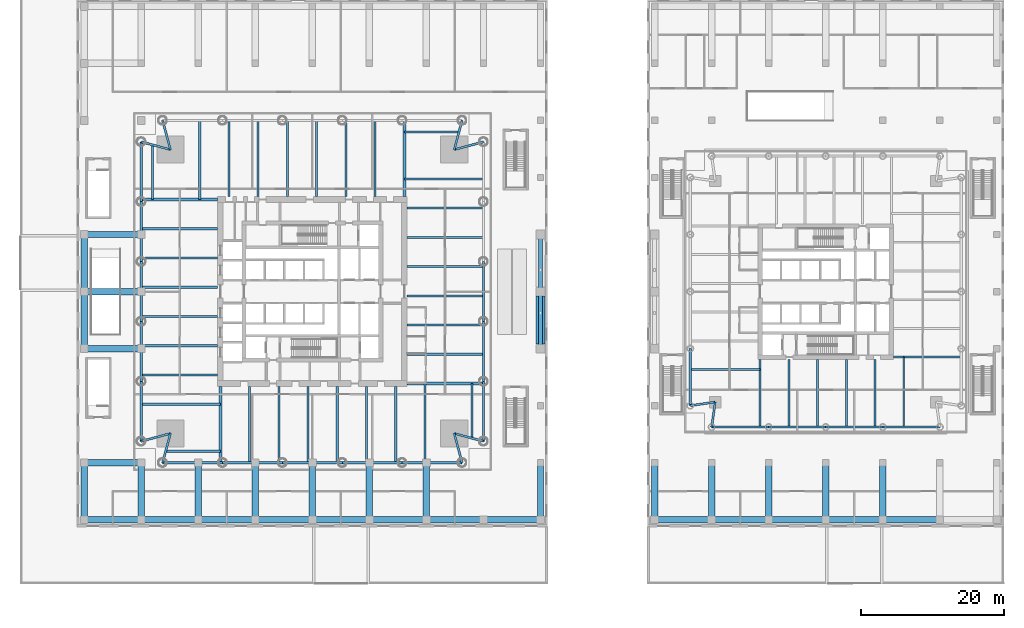
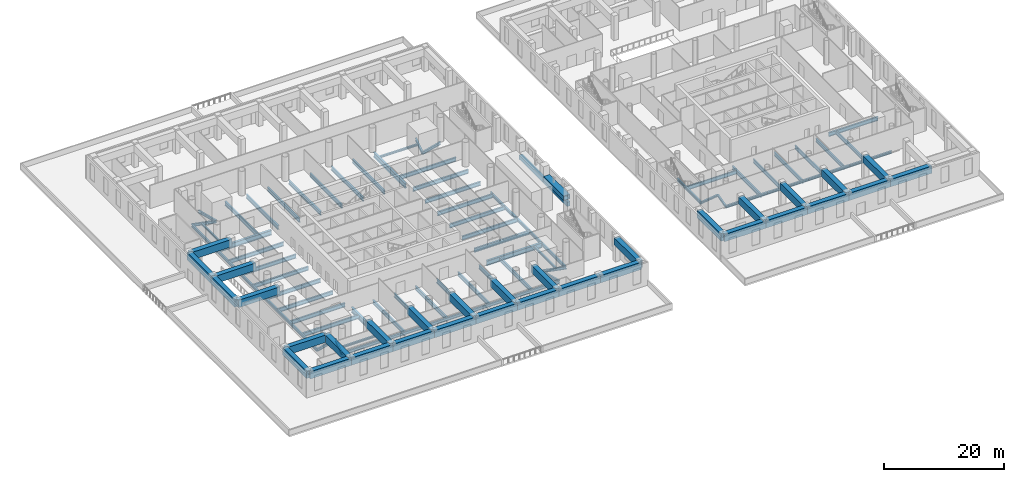
# One storey, part 5 of 26: 107 beams.
"""IFC4 building model written with IfcOpenShell, lengths in metres."""

import ifcopenshell
import ifcopenshell.guid

model = None  # the IFC model being written
_history = None  # IfcOwnerHistory: only IFC2X3 demands one
_inside = {}  # id of a spatial element -> (the spatial element, [elements in it])
_under = {}  # id of a project, library or spatial element -> (it, [spatial elements below it])
_declared = {}  # id of a project -> (the project, [libraries it declares])
_typed = {}  # id of a type object -> (the type object, [elements of that type])
_made_of = {}  # id of a material, layer set ... -> (it, [elements and type objects made of it])


def new_model(schema):
    """Start an empty IFC model of exactly this schema.

    Asked for "IFC4X3", IfcOpenShell would pick the latest addendum, in which some entities
    have other attributes; the version numbers below select the first issue.
    IFC2X3 requires an IfcOwnerHistory on every rooted entity: one is made here for all.
    """
    global model, _history
    if schema == "IFC4X3":
        model = ifcopenshell.file(schema_version=(4, 3, 0, 0))
    else:
        model = ifcopenshell.file(schema=schema)
    _inside.clear()
    _under.clear()
    _declared.clear()
    _typed.clear()
    _made_of.clear()
    _history = None
    if model.schema == "IFC2X3":
        org = make("IfcOrganization", Name="unknown")
        user = make(
            "IfcPersonAndOrganization",
            ThePerson=make("IfcPerson", FamilyName="unknown"),
            TheOrganization=org,
        )
        app = make(
            "IfcApplication",
            ApplicationDeveloper=org,
            Version="unknown",
            ApplicationFullName="unknown",
            ApplicationIdentifier="unknown",
        )
        _history = make(
            "IfcOwnerHistory",
            OwningUser=user,
            OwningApplication=app,
            ChangeAction="ADDED",
            CreationDate=0,
        )
    return model


def make(cls, **values):
    """One entity of the class cls with the attributes given. An attribute that is None is left unset."""
    return model.create_entity(
        cls, **{name: value for name, value in values.items() if value is not None}
    )


def rooted(cls, **values):
    """An entity with a GlobalId (a new one), such as an element, a storey or a relation."""
    return make(cls, GlobalId=ifcopenshell.guid.new(), OwnerHistory=_history, **values)


def si_unit(unit_type, name, prefix=None):
    """IfcSIUnit, for example si_unit("LENGTHUNIT", "METRE", prefix="MILLI")."""
    return make("IfcSIUnit", UnitType=unit_type, Prefix=prefix, Name=name)


def assignment(units):
    """IfcUnitAssignment: the units of a project."""
    return None if units is None else make("IfcUnitAssignment", Units=units)


def point(xyz):
    """IfcCartesianPoint."""
    return None if xyz is None else make("IfcCartesianPoint", Coordinates=xyz)


def direction(xyz):
    """IfcDirection."""
    return None if xyz is None else make("IfcDirection", DirectionRatios=xyz)


def frame(location, z_axis=None, x_axis=None):
    """IfcAxis2Placement3D, a coordinate frame: its origin and axes. An axis left out is left unset."""
    return make(
        "IfcAxis2Placement3D",
        Location=point(location),
        Axis=direction(z_axis),
        RefDirection=direction(x_axis),
    )


def frame_2d(location, x_axis=None):
    """IfcAxis2Placement2D, a coordinate frame in the plane: its origin and x axis."""
    return make(
        "IfcAxis2Placement2D", Location=point(location), RefDirection=direction(x_axis)
    )


def origin():
    """The frame at (0, 0, 0) with its axes left unset."""
    return frame((0.0, 0.0, 0.0))


def origin_2d():
    """The frame at (0, 0) in the plane with its x axis left unset."""
    return frame_2d((0.0, 0.0))


def place(relative_to, where):
    """IfcLocalPlacement: puts the frame where relative to a parent placement (None: the world)."""
    return make(
        "IfcLocalPlacement", PlacementRelTo=relative_to, RelativePlacement=where
    )


def context(
    kind, dimensions, precision=None, world=None, true_north=None, identifier=None
):
    """IfcGeometricRepresentationContext, for example the 3D "Model" context."""
    return make(
        "IfcGeometricRepresentationContext",
        ContextIdentifier=identifier,
        ContextType=kind,
        CoordinateSpaceDimension=dimensions,
        Precision=precision,
        WorldCoordinateSystem=world,
        TrueNorth=true_north,
    )


def subcontext(parent, identifier, kind, view, scale=None):
    """IfcGeometricRepresentationSubContext, for example "Body" below "Model"."""
    return make(
        "IfcGeometricRepresentationSubContext",
        ContextIdentifier=identifier,
        ContextType=kind,
        ParentContext=parent,
        TargetScale=scale,
        TargetView=view,
    )


def project(units=None, contexts=None):
    """IfcProject with its units and contexts."""
    return rooted(
        "IfcProject",
        Name="project",
        RepresentationContexts=contexts,
        UnitsInContext=assignment(units),
    )


def spatial(cls, under=None, at=None, **own):
    """A site, building, storey or space (cls), placed at a placement, below another one or the project."""
    s = rooted(cls, ObjectPlacement=at, **own)
    if under is not None:
        _under.setdefault(under.id(), (under, []))[1].append(s)
    return s


def profile(cls, at=None, kind="AREA", **sizes):
    """A parametric profile (cls). Its sizes go by their IFC names, for example OverallWidth=200.0."""
    return make(cls, ProfileType=kind, Position=at, **sizes)


def rectangle(**sizes):
    """IfcRectangleProfileDef."""
    return profile("IfcRectangleProfileDef", **sizes)


def hollow_rectangle(**sizes):
    """IfcRectangleHollowProfileDef."""
    return profile("IfcRectangleHollowProfileDef", **sizes)


def i_section(**sizes):
    """IfcIShapeProfileDef."""
    return profile("IfcIShapeProfileDef", **sizes)


def extrude(swept, where, along, depth):
    """IfcExtrudedAreaSolid: the profile swept, set in the frame where, extruded along a direction by depth."""
    return make(
        "IfcExtrudedAreaSolid",
        SweptArea=swept,
        Position=where,
        ExtrudedDirection=direction(along),
        Depth=depth,
    )


def shape(context_of_items, identifier, shape_type, items):
    """IfcShapeRepresentation: the items that make up one representation, for example the "Body"."""
    return make(
        "IfcShapeRepresentation",
        ContextOfItems=context_of_items,
        RepresentationIdentifier=identifier,
        RepresentationType=shape_type,
        Items=items,
    )


def material(Name=None, Category=None):
    """IfcMaterial."""
    return make("IfcMaterial", Name=Name, Category=Category)


def material_profile(
    of_material, cross_section, Name=None, Category=None, Priority=None
):
    """IfcMaterialProfile: a cross section and its material."""
    return make(
        "IfcMaterialProfile",
        Name=Name,
        Material=of_material,
        Profile=cross_section,
        Priority=Priority,
        Category=Category,
    )


def profile_set(profiles, Name=None, composite=None):
    """IfcMaterialProfileSet."""
    return make(
        "IfcMaterialProfileSet",
        Name=Name,
        MaterialProfiles=profiles,
        CompositeProfile=composite,
    )


def made_of(thing, what):
    """Note that an element or type object is made of a material, layer set ...; save() writes the relation."""
    if what is not None:
        _made_of.setdefault(what.id(), (what, []))[1].append(thing)
    return thing


def type_object(cls, material=None, **own):
    """A type object (cls), such as IfcWallType, which elements share."""
    return made_of(rooted(cls, **own), material)


def element(
    cls,
    number,
    at=None,
    inside=None,
    cuts=None,
    type_object=None,
    material=None,
    context=None,
    identifier="Body",
    shape_type=None,
    held_by="IfcProductDefinitionShape",
    body=None,
    shapes=None,
    **own,
):
    """One element of the class cls, such as IfcWall. Its Tag is "e" and its number.

    at: its placement. inside: the storey or other place that contains it. cuts: it is an
    opening in that element (IfcRelVoidsElement). A single representation is given by context,
    identifier, shape_type and body (its items); several are given by shapes. held_by: the class
    of the entity that holds the representations. save() writes the other relations.
    """
    e = rooted(cls, Tag="e%d" % number, ObjectPlacement=at, **own)
    if body is not None:
        shapes = [shape(context, identifier, shape_type, body)]
    if shapes is not None:
        e.Representation = make(held_by, Representations=shapes)
    if inside is not None:
        _inside.setdefault(inside.id(), (inside, []))[1].append(e)
    if cuts is not None:
        rooted(
            "IfcRelVoidsElement", RelatingBuildingElement=cuts, RelatedOpeningElement=e
        )
    if type_object is not None:
        _typed.setdefault(type_object.id(), (type_object, []))[1].append(e)
    return made_of(e, material)


def aggregate(whole, parts):
    """IfcRelAggregates: a whole, such as a stair, and the parts it consists of."""
    return rooted("IfcRelAggregates", RelatingObject=whole, RelatedObjects=parts)


def save(model, path):
    """Write the relations noted so far, then the file.

    IfcRelAggregates (storeys below a building ...), IfcRelContainedInSpatialStructure (elements
    in a storey), IfcRelDefinesByType, IfcRelAssociatesMaterial and IfcRelDeclares: one each for
    every whole, place, type object, material and project.
    """
    for whole, parts in _under.values():
        aggregate(whole, parts)
    for where, things in _inside.values():
        rooted(
            "IfcRelContainedInSpatialStructure",
            RelatedElements=things,
            RelatingStructure=where,
        )
    for kind, things in _typed.values():
        rooted("IfcRelDefinesByType", RelatedObjects=things, RelatingType=kind)
    for what, things in _made_of.values():
        rooted("IfcRelAssociatesMaterial", RelatedObjects=things, RelatingMaterial=what)
    for by, libraries in _declared.values():
        rooted("IfcRelDeclares", RelatingContext=by, RelatedDefinitions=libraries)
    model.write(path)


model = new_model("IFC4")

# Units and contexts
model_context = context("Model", 3, precision=1e-05, world=origin(), true_north=direction((0.0, 1.0)))
body_context = subcontext(model_context, "Body", "Model", "MODEL_VIEW")
ifc_project = project(units=[si_unit("LENGTHUNIT", "METRE"), si_unit("AREAUNIT", "SQUARE_METRE"), si_unit("VOLUMEUNIT", "CUBIC_METRE"), si_unit("PLANEANGLEUNIT", "RADIAN"), si_unit("MASSUNIT", "GRAM", prefix="KILO")], contexts=[model_context])

# Site, building, storey
site_placement = place(None, origin())
site = spatial("IfcSite", under=ifc_project, at=site_placement, CompositionType="ELEMENT")
building_placement = place(site_placement, origin())
building = spatial("IfcBuilding", under=site, at=building_placement, Name="Ostroluk Exchange", CompositionType="ELEMENT")
storey_placement = place(building_placement, frame((0.0, 0.0, 6.0)))
storey = spatial("IfcBuildingStorey", under=building, at=storey_placement, Name="L01", CompositionType="ELEMENT", Elevation=6.0)

# Beams
ifc_material_1 = material(Name="Steel S355", Category="steel")
ifc_material_profile_1 = material_profile(ifc_material_1, hollow_rectangle(XDim=1.199951171875, YDim=0.949951171875, WallThickness=0.080078125, at=origin_2d()), Name="BOX 1200x950x80")
ifc_profile_set_1 = profile_set([ifc_material_profile_1], Name="Steel S355")
beam_type_1 = type_object("IfcBeamType", Name="Bearing seat girder BOX 1200x950x80", PredefinedType="BEAM", material=ifc_profile_set_1)
beam_1_placement = place(storey_placement, frame((77.0, 38.64990234375, 2.635009765625), z_axis=(0.0, 1.0, 0.0), x_axis=(-1.0, 0.0, 0.0)))
element("IfcBeam", 1, at=beam_1_placement, inside=storey, type_object=beam_type_1, Name="BR1 bearing seat girder west 1", PredefinedType="BEAM", context=body_context, shape_type="SweptSolid", body=[
    extrude(hollow_rectangle(XDim=1.199951171875, YDim=0.949951171875, WallThickness=0.080078125, at=origin_2d()), origin(), (0.0, 0.0, 1.0), 6.7001953125),
])
ifc_material_2 = material(Name="Steel S355", Category="steel")
ifc_material_profile_2 = material_profile(ifc_material_2, i_section(OverallWidth=0.300048828125, OverallDepth=0.39990234375, WebThickness=0.013427734375, FlangeThickness=0.02392578125, FilletRadius=0.027099609375, at=origin_2d()), Name="HEB 400")
ifc_profile_set_2 = profile_set([ifc_material_profile_2], Name="Steel S355")
beam_type_2 = type_object("IfcBeamType", Name="Corner edge beam HEB 400", PredefinedType="SPANDREL", material=ifc_profile_set_2)
for number, where, z_axis, x_axis, name in (
    (2, (101.5, 30.5, -0.5), (-0.989949493661, -0.141421356237, 0.0), (0.141421356237, -0.989949493661, 0.0), "T2 west corner edge beam a"),
    (3, (101.5, 30.5, -0.5), (-0.141421356237, -0.989949493661, 0.0), (0.989949493661, -0.141421356237, 0.0), "T2 west corner edge beam b"),
):
    element("IfcBeam", number, at=place(storey_placement, frame(where, z_axis=z_axis, x_axis=x_axis)), inside=storey, type_object=beam_type_2, Name=name, PredefinedType="SPANDREL", context=body_context, shape_type="SweptSolid", body=[
        extrude(i_section(OverallWidth=0.300048828125, OverallDepth=0.39990234375, WebThickness=0.013427734375, FlangeThickness=0.02392578125, FilletRadius=0.027099609375, at=origin_2d()), origin(), (0.0, 0.0, 1.0), 3.53564453125),
    ])
ifc_material_3 = material(Name="Steel S355", Category="steel")
ifc_material_profile_3 = material_profile(ifc_material_3, i_section(OverallWidth=0.300048828125, OverallDepth=0.550048828125, WebThickness=0.014892578125, FlangeThickness=0.029052734375, FilletRadius=0.027099609375, at=origin_2d()), Name="HEB 550")
ifc_profile_set_3 = profile_set([ifc_material_profile_3], Name="Steel S355")
beam_type_3 = type_object("IfcBeamType", Name="Corner edge beam HEB 550", PredefinedType="SPANDREL", material=ifc_profile_set_3)
for number, where, z_axis, x_axis, name in (
    (4, (64.89990234375, 65.89990234375, -0.574951171875), (0.965838624319, 0.259144268261, 0.0), (-0.259144268261, 0.965838624319, 0.0), "T1 east corner edge beam a"),
    (5, (64.89990234375, 65.89990234375, -0.574951171875), (0.259144268261, 0.965838624319, 0.0), (-0.965838624319, 0.259144268261, 0.0), "T1 east corner edge beam b"),
    (6, (25.10009765625, 65.89990234375, -0.574951171875), (-0.259144268261, 0.965838624319, 0.0), (-0.965838624319, -0.259144268261, 0.0), "T1 north corner edge beam a"),
    (7, (25.10009765625, 65.89990234375, -0.574951171875), (-0.965838624319, 0.259144268261, 0.0), (-0.259144268261, -0.965838624319, 0.0), "T1 north corner edge beam b"),
    (8, (25.10009765625, 26.10009765625, -0.574951171875), (-0.965838624319, -0.259144268261, 0.0), (0.259144268261, -0.965838624319, 0.0), "T1 west corner edge beam a"),
    (9, (25.10009765625, 26.10009765625, -0.574951171875), (-0.259144268261, -0.965838624319, 0.0), (0.965838624319, -0.259144268261, 0.0), "T1 west corner edge beam b"),
    (10, (64.89990234375, 26.10009765625, -0.574951171875), (0.259144268261, -0.965838624319, 0.0), (0.965838624319, 0.259144268261, 0.0), "T1 south corner edge beam a"),
    (11, (64.89990234375, 26.10009765625, -0.574951171875), (0.965838624319, -0.259144268261, 0.0), (0.259144268261, 0.965838624319, 0.0), "T1 south corner edge beam b"),
):
    element("IfcBeam", number, at=place(storey_placement, frame(where, z_axis=z_axis, x_axis=x_axis)), inside=storey, type_object=beam_type_3, Name=name, PredefinedType="SPANDREL", context=body_context, shape_type="SweptSolid", body=[
        extrude(i_section(OverallWidth=0.300048828125, OverallDepth=0.550048828125, WebThickness=0.014892578125, FlangeThickness=0.029052734375, FilletRadius=0.027099609375, at=origin_2d()), origin(), (0.0, 0.0, 1.0), 4.2451171875),
    ])
ifc_material_4 = material(Name="Steel S355", Category="steel")
ifc_material_profile_4 = material_profile(ifc_material_4, i_section(OverallWidth=0.300048828125, OverallDepth=0.39990234375, WebThickness=0.013427734375, FlangeThickness=0.02392578125, FilletRadius=0.027099609375, at=origin_2d()), Name="HEB 400")
ifc_profile_set_4 = profile_set([ifc_material_profile_4], Name="Steel S355")
beam_type_4 = type_object("IfcBeamType", Name="Floor beam HEB 400", PredefinedType="BEAM", material=ifc_profile_set_4)
for number, where, z_axis, x_axis, name in (
    (12, (57.89990234375, 68.39990234375, -0.5), (1.0, 0.0, 0.0), (0.0, 1.0, 0.0), "T1 east floor beam 8"),
    (13, (22.60009765625, 58.89990234375, -0.5), (0.0, 1.0, 0.0), (-1.0, 0.0, 0.0), "T1 north floor beam 8"),
    (14, (32.10009765625, 23.60009765625, -0.5), (-1.0, 0.0, 0.0), (0.0, -1.0, 0.0), "T1 west floor beam 8"),
    (15, (67.39990234375, 33.10009765625, -0.5), (0.0, -1.0, 0.0), (1.0, 0.0, 0.0), "T1 south floor beam 8"),
):
    element("IfcBeam", number, at=place(storey_placement, frame(where, z_axis=z_axis, x_axis=x_axis)), inside=storey, type_object=beam_type_4, Name=name, PredefinedType="BEAM", context=body_context, shape_type="SweptSolid", body=[
        extrude(i_section(OverallWidth=0.300048828125, OverallDepth=0.39990234375, WebThickness=0.013427734375, FlangeThickness=0.02392578125, FilletRadius=0.027099609375, at=origin_2d()), origin(), (0.0, 0.0, 1.0), 7.6708984375),
    ])
ifc_material_5 = material(Name="Steel S355", Category="steel")
ifc_material_profile_5 = material_profile(ifc_material_5, i_section(OverallWidth=0.300048828125, OverallDepth=0.800048828125, WebThickness=0.017578125, FlangeThickness=0.032958984375, FilletRadius=0.030029296875, at=origin_2d()), Name="HEB 800")
ifc_profile_set_5 = profile_set([ifc_material_profile_5], Name="Steel S355")
beam_type_5 = type_object("IfcBeamType", Name="Floor beam HEB 800", PredefinedType="BEAM", material=ifc_profile_set_5)
for number, where, z_axis, x_axis, name in (
    (16, (58.300048828125, 37.199951171875, -0.699951171875), (1.0, 0.0, 0.0), (0.0, 1.0, 0.0), "T1 east floor beam 1"),
    (17, (58.300048828125, 41.300048828125, -0.699951171875), (1.0, 0.0, 0.0), (0.0, 1.0, 0.0), "T1 east floor beam 2"),
    (18, (58.300048828125, 45.39990234375, -0.699951171875), (1.0, 0.0, 0.0), (0.0, 1.0, 0.0), "T1 east floor beam 3"),
    (19, (58.300048828125, 49.5, -0.699951171875), (1.0, 0.0, 0.0), (0.0, 1.0, 0.0), "T1 east floor beam 4"),
    (20, (58.300048828125, 53.60009765625, -0.699951171875), (1.0, 0.0, 0.0), (0.0, 1.0, 0.0), "T1 east floor beam 5"),
    (21, (53.800048828125, 59.300048828125, -0.699951171875), (0.0, 1.0, 0.0), (-1.0, 0.0, 0.0), "T1 north floor beam 1"),
    (22, (49.699951171875, 59.300048828125, -0.699951171875), (0.0, 1.0, 0.0), (-1.0, 0.0, 0.0), "T1 north floor beam 2"),
    (23, (45.60009765625, 59.300048828125, -0.699951171875), (0.0, 1.0, 0.0), (-1.0, 0.0, 0.0), "T1 north floor beam 3"),
    (24, (41.5, 59.300048828125, -0.699951171875), (0.0, 1.0, 0.0), (-1.0, 0.0, 0.0), "T1 north floor beam 4"),
    (25, (37.39990234375, 59.300048828125, -0.699951171875), (0.0, 1.0, 0.0), (-1.0, 0.0, 0.0), "T1 north floor beam 5"),
    (26, (31.699951171875, 54.800048828125, -0.699951171875), (-1.0, 0.0, 0.0), (0.0, -1.0, 0.0), "T1 west floor beam 1"),
    (27, (31.699951171875, 50.699951171875, -0.699951171875), (-1.0, 0.0, 0.0), (0.0, -1.0, 0.0), "T1 west floor beam 2"),
    (28, (31.699951171875, 46.60009765625, -0.699951171875), (-1.0, 0.0, 0.0), (0.0, -1.0, 0.0), "T1 west floor beam 3"),
    (29, (31.699951171875, 42.5, -0.699951171875), (-1.0, 0.0, 0.0), (0.0, -1.0, 0.0), "T1 west floor beam 4"),
    (30, (31.699951171875, 38.39990234375, -0.699951171875), (-1.0, 0.0, 0.0), (0.0, -1.0, 0.0), "T1 west floor beam 5"),
    (31, (36.199951171875, 32.699951171875, -0.699951171875), (0.0, -1.0, 0.0), (1.0, 0.0, 0.0), "T1 south floor beam 1"),
    (32, (40.300048828125, 32.699951171875, -0.699951171875), (0.0, -1.0, 0.0), (1.0, 0.0, 0.0), "T1 south floor beam 2"),
    (33, (44.39990234375, 32.699951171875, -0.699951171875), (0.0, -1.0, 0.0), (1.0, 0.0, 0.0), "T1 south floor beam 3"),
    (34, (48.5, 32.699951171875, -0.699951171875), (0.0, -1.0, 0.0), (1.0, 0.0, 0.0), "T1 south floor beam 4"),
    (35, (52.60009765625, 32.699951171875, -0.699951171875), (0.0, -1.0, 0.0), (1.0, 0.0, 0.0), "T1 south floor beam 5"),
):
    element("IfcBeam", number, at=place(storey_placement, frame(where, z_axis=z_axis, x_axis=x_axis)), inside=storey, type_object=beam_type_5, Name=name, PredefinedType="BEAM", context=body_context, shape_type="SweptSolid", body=[
        extrude(i_section(OverallWidth=0.300048828125, OverallDepth=0.800048828125, WebThickness=0.017578125, FlangeThickness=0.032958984375, FilletRadius=0.030029296875, at=origin_2d()), origin(), (0.0, 0.0, 1.0), 10.699951171875),
    ])
ifc_material_6 = material(Name="Steel S355", Category="steel")
ifc_material_profile_6 = material_profile(ifc_material_6, i_section(OverallWidth=0.302978515625, OverallDepth=0.81396484375, WebThickness=0.02099609375, FlangeThickness=0.0400390625, FilletRadius=0.030029296875, at=origin_2d()), Name="HEM 800")
ifc_profile_set_6 = profile_set([ifc_material_profile_6], Name="Steel S355")
beam_type_6 = type_object("IfcBeamType", Name="Floor beam HEM 800", PredefinedType="BEAM", material=ifc_profile_set_6)
beam_2_placement = place(storey_placement, frame((58.300048828125, 57.699951171875, -0.70703125), z_axis=(1.0, 0.0, 0.0), x_axis=(0.0, 1.0, 0.0)))
element("IfcBeam", 36, at=beam_2_placement, inside=storey, type_object=beam_type_6, Name="T1 east floor beam 6", PredefinedType="BEAM", context=body_context, shape_type="SweptSolid", body=[
    extrude(i_section(OverallWidth=0.302978515625, OverallDepth=0.81396484375, WebThickness=0.02099609375, FlangeThickness=0.0400390625, FilletRadius=0.030029296875, at=origin_2d()), origin(), (0.0, 0.0, 1.0), 10.699951171875),
])
beam_3_placement = place(storey_placement, frame((57.89990234375, 61.800048828125, -0.70703125), z_axis=(1.0, 0.0, 0.0), x_axis=(0.0, 1.0, 0.0)))
element("IfcBeam", 37, at=beam_3_placement, inside=storey, type_object=beam_type_6, Name="T1 east floor beam 7", PredefinedType="BEAM", context=body_context, shape_type="SweptSolid", body=[
    extrude(i_section(OverallWidth=0.302978515625, OverallDepth=0.81396484375, WebThickness=0.02099609375, FlangeThickness=0.0400390625, FilletRadius=0.030029296875, at=origin_2d()), origin(), (0.0, 0.0, 1.0), 11.10009765625),
])
beam_4_placement = place(storey_placement, frame((33.300048828125, 59.300048828125, -0.70703125), z_axis=(0.0, 1.0, 0.0), x_axis=(-1.0, 0.0, 0.0)))
element("IfcBeam", 38, at=beam_4_placement, inside=storey, type_object=beam_type_6, Name="T1 north floor beam 6", PredefinedType="BEAM", context=body_context, shape_type="SweptSolid", body=[
    extrude(i_section(OverallWidth=0.302978515625, OverallDepth=0.81396484375, WebThickness=0.02099609375, FlangeThickness=0.0400390625, FilletRadius=0.030029296875, at=origin_2d()), origin(), (0.0, 0.0, 1.0), 10.699951171875),
])
beam_5_placement = place(storey_placement, frame((29.199951171875, 58.89990234375, -0.70703125), z_axis=(0.0, 1.0, 0.0), x_axis=(-1.0, 0.0, 0.0)))
element("IfcBeam", 39, at=beam_5_placement, inside=storey, type_object=beam_type_6, Name="T1 north floor beam 7", PredefinedType="BEAM", context=body_context, shape_type="SweptSolid", body=[
    extrude(i_section(OverallWidth=0.302978515625, OverallDepth=0.81396484375, WebThickness=0.02099609375, FlangeThickness=0.0400390625, FilletRadius=0.030029296875, at=origin_2d()), origin(), (0.0, 0.0, 1.0), 11.10009765625),
])
beam_6_placement = place(storey_placement, frame((31.699951171875, 34.300048828125, -0.70703125), z_axis=(-1.0, 0.0, 0.0), x_axis=(0.0, -1.0, 0.0)))
element("IfcBeam", 40, at=beam_6_placement, inside=storey, type_object=beam_type_6, Name="T1 west floor beam 6", PredefinedType="BEAM", context=body_context, shape_type="SweptSolid", body=[
    extrude(i_section(OverallWidth=0.302978515625, OverallDepth=0.81396484375, WebThickness=0.02099609375, FlangeThickness=0.0400390625, FilletRadius=0.030029296875, at=origin_2d()), origin(), (0.0, 0.0, 1.0), 10.699951171875),
])
beam_7_placement = place(storey_placement, frame((32.10009765625, 30.199951171875, -0.70703125), z_axis=(-1.0, 0.0, 0.0), x_axis=(0.0, -1.0, 0.0)))
element("IfcBeam", 41, at=beam_7_placement, inside=storey, type_object=beam_type_6, Name="T1 west floor beam 7", PredefinedType="BEAM", context=body_context, shape_type="SweptSolid", body=[
    extrude(i_section(OverallWidth=0.302978515625, OverallDepth=0.81396484375, WebThickness=0.02099609375, FlangeThickness=0.0400390625, FilletRadius=0.030029296875, at=origin_2d()), origin(), (0.0, 0.0, 1.0), 11.10009765625),
])
beam_8_placement = place(storey_placement, frame((56.699951171875, 32.699951171875, -0.70703125), z_axis=(0.0, -1.0, 0.0), x_axis=(1.0, 0.0, 0.0)))
element("IfcBeam", 42, at=beam_8_placement, inside=storey, type_object=beam_type_6, Name="T1 south floor beam 6", PredefinedType="BEAM", context=body_context, shape_type="SweptSolid", body=[
    extrude(i_section(OverallWidth=0.302978515625, OverallDepth=0.81396484375, WebThickness=0.02099609375, FlangeThickness=0.0400390625, FilletRadius=0.030029296875, at=origin_2d()), origin(), (0.0, 0.0, 1.0), 10.699951171875),
])
beam_9_placement = place(storey_placement, frame((60.800048828125, 33.10009765625, -0.70703125), z_axis=(0.0, -1.0, 0.0), x_axis=(1.0, 0.0, 0.0)))
element("IfcBeam", 43, at=beam_9_placement, inside=storey, type_object=beam_type_6, Name="T1 south floor beam 7", PredefinedType="BEAM", context=body_context, shape_type="SweptSolid", body=[
    extrude(i_section(OverallWidth=0.302978515625, OverallDepth=0.81396484375, WebThickness=0.02099609375, FlangeThickness=0.0400390625, FilletRadius=0.030029296875, at=origin_2d()), origin(), (0.0, 0.0, 1.0), 11.10009765625),
])
ifc_material_7 = material(Name="Steel S355", Category="steel")
ifc_material_profile_7 = material_profile(ifc_material_7, i_section(OverallWidth=0.264892578125, OverallDepth=0.7529296875, WebThickness=0.01318359375, FlangeThickness=0.01708984375, FilletRadius=0.01708984375, at=origin_2d()), Name="IPE 750x147")
ifc_profile_set_7 = profile_set([ifc_material_profile_7], Name="Steel S355")
beam_type_7 = type_object("IfcBeamType", Name="Floor beam IPE 750x147", PredefinedType="BEAM", material=ifc_profile_set_7)
beam_10_placement = place(storey_placement, frame((107.800048828125, 35.05712890625, -0.676513671875), z_axis=(-1.0, 0.0, 0.0), x_axis=(0.0, -1.0, 0.0)))
element("IfcBeam", 44, at=beam_10_placement, inside=storey, type_object=beam_type_7, Name="T2 west floor beam 5", PredefinedType="BEAM", context=body_context, shape_type="SweptSolid", body=[
    extrude(i_section(OverallWidth=0.264892578125, OverallDepth=0.7529296875, WebThickness=0.01318359375, FlangeThickness=0.01708984375, FilletRadius=0.01708984375, at=origin_2d()), origin(), (0.0, 0.0, 1.0), 9.800048828125),
])
for number, where, z_axis, x_axis, name in (
    (45, (111.82861328125, 36.5, -0.676513671875), (0.0, -1.0, 0.0), (1.0, 0.0, 0.0), "T2 south floor beam 1"),
    (46, (115.857177734375, 36.5, -0.676513671875), (0.0, -1.0, 0.0), (1.0, 0.0, 0.0), "T2 south floor beam 2"),
    (47, (119.8857421875, 36.5, -0.676513671875), (0.0, -1.0, 0.0), (1.0, 0.0, 0.0), "T2 south floor beam 3"),
    (48, (123.914306640625, 36.5, -0.676513671875), (0.0, -1.0, 0.0), (1.0, 0.0, 0.0), "T2 south floor beam 4"),
):
    element("IfcBeam", number, at=place(storey_placement, frame(where, z_axis=z_axis, x_axis=x_axis)), inside=storey, type_object=beam_type_7, Name=name, PredefinedType="BEAM", context=body_context, shape_type="SweptSolid", body=[
        extrude(i_section(OverallWidth=0.264892578125, OverallDepth=0.7529296875, WebThickness=0.01318359375, FlangeThickness=0.01708984375, FilletRadius=0.01708984375, at=origin_2d()), origin(), (0.0, 0.0, 1.0), 9.5),
    ])
beam_11_placement = place(storey_placement, frame((127.94287109375, 36.800048828125, -0.676513671875), z_axis=(0.0, -1.0, 0.0), x_axis=(1.0, 0.0, 0.0)))
element("IfcBeam", 49, at=beam_11_placement, inside=storey, type_object=beam_type_7, Name="T2 south floor beam 5", PredefinedType="BEAM", context=body_context, shape_type="SweptSolid", body=[
    extrude(i_section(OverallWidth=0.264892578125, OverallDepth=0.7529296875, WebThickness=0.01318359375, FlangeThickness=0.01708984375, FilletRadius=0.01708984375, at=origin_2d()), origin(), (0.0, 0.0, 1.0), 9.800048828125),
])
ifc_material_8 = material(Name="Steel S355", Category="steel")
ifc_material_profile_8 = material_profile(ifc_material_8, i_section(OverallWidth=0.300048828125, OverallDepth=0.800048828125, WebThickness=0.017578125, FlangeThickness=0.032958984375, FilletRadius=0.030029296875, at=origin_2d()), Name="HEB 800")
ifc_profile_set_8 = profile_set([ifc_material_profile_8], Name="Steel S355")
beam_type_8 = type_object("IfcBeamType", Name="Girder HEB 800", PredefinedType="BEAM", material=ifc_profile_set_8)
for number, where, z_axis, x_axis, name in (
    (50, (107.800048828125, 36.5, -0.699951171875), (0.0, -1.0, 0.0), (1.0, 0.0, 0.0), "T2 west girder"),
    (51, (126.5, 36.800048828125, -0.699951171875), (1.0, 0.0, 0.0), (0.0, 1.0, 0.0), "T2 south girder"),
):
    element("IfcBeam", number, at=place(storey_placement, frame(where, z_axis=z_axis, x_axis=x_axis)), inside=storey, type_object=beam_type_8, Name=name, PredefinedType="BEAM", context=body_context, shape_type="SweptSolid", body=[
        extrude(i_section(OverallWidth=0.300048828125, OverallDepth=0.800048828125, WebThickness=0.017578125, FlangeThickness=0.032958984375, FilletRadius=0.030029296875, at=origin_2d()), origin(), (0.0, 0.0, 1.0), 9.5),
    ])
ifc_material_9 = material(Name="Steel S355", Category="steel")
ifc_material_profile_9 = material_profile(ifc_material_9, i_section(OverallWidth=0.402099609375, OverallDepth=1.011962890625, WebThickness=0.035888671875, FlangeThickness=0.055908203125, FilletRadius=0.030029296875, at=origin_2d()), Name="HL 1000x443")
ifc_profile_set_9 = profile_set([ifc_material_profile_9], Name="Steel S355")
beam_type_9 = type_object("IfcBeamType", Name="Girder HL 1000x443", PredefinedType="BEAM", material=ifc_profile_set_9)
for number, where, z_axis, x_axis, name in (
    (52, (57.89990234375, 59.300048828125, -0.805908203125), (0.0, 1.0, 0.0), (-1.0, 0.0, 0.0), "T1 east girder"),
    (53, (31.699951171875, 58.89990234375, -0.805908203125), (-1.0, 0.0, 0.0), (0.0, -1.0, 0.0), "T1 north girder"),
    (54, (32.10009765625, 32.699951171875, -0.805908203125), (0.0, -1.0, 0.0), (1.0, 0.0, 0.0), "T1 west girder"),
    (55, (58.300048828125, 33.10009765625, -0.805908203125), (1.0, 0.0, 0.0), (0.0, 1.0, 0.0), "T1 south girder"),
):
    element("IfcBeam", number, at=place(storey_placement, frame(where, z_axis=z_axis, x_axis=x_axis)), inside=storey, type_object=beam_type_9, Name=name, PredefinedType="BEAM", context=body_context, shape_type="SweptSolid", body=[
        extrude(i_section(OverallWidth=0.402099609375, OverallDepth=1.011962890625, WebThickness=0.035888671875, FlangeThickness=0.055908203125, FilletRadius=0.030029296875, at=origin_2d()), origin(), (0.0, 0.0, 1.0), 10.699951171875),
    ])
ifc_material_10 = material(Name="Steel S355", Category="steel")
ifc_material_profile_10 = material_profile(ifc_material_10, i_section(OverallWidth=0.300048828125, OverallDepth=0.550048828125, WebThickness=0.014892578125, FlangeThickness=0.029052734375, FilletRadius=0.027099609375, at=origin_2d()), Name="HEB 550")
ifc_profile_set_10 = profile_set([ifc_material_profile_10], Name="Steel S355")
beam_type_10 = type_object("IfcBeamType", Name="Moment-connected edge beam HEB 550", PredefinedType="SPANDREL", material=ifc_profile_set_10)
for number, where, z_axis, x_axis, name in (
    (56, (98.0, 38.0, -0.574951171875), (0.0, -1.0, 0.0), (1.0, 0.0, 0.0), "T2 west edge beam 4"),
    (57, (101.0, 27.0, -0.574951171875), (1.0, 0.0, 0.0), (0.0, 1.0, 0.0), "T2 south edge beam 1"),
    (58, (109.0, 27.0, -0.574951171875), (1.0, 0.0, 0.0), (0.0, 1.0, 0.0), "T2 south edge beam 2"),
    (59, (117.0, 27.0, -0.574951171875), (1.0, 0.0, 0.0), (0.0, 1.0, 0.0), "T2 south edge beam 3"),
    (60, (125.0, 27.0, -0.574951171875), (1.0, 0.0, 0.0), (0.0, 1.0, 0.0), "T2 south edge beam 4"),
):
    element("IfcBeam", number, at=place(storey_placement, frame(where, z_axis=z_axis, x_axis=x_axis)), inside=storey, type_object=beam_type_10, Name=name, PredefinedType="SPANDREL", context=body_context, shape_type="SweptSolid", body=[
        extrude(i_section(OverallWidth=0.300048828125, OverallDepth=0.550048828125, WebThickness=0.014892578125, FlangeThickness=0.029052734375, FilletRadius=0.027099609375, at=origin_2d()), origin(), (0.0, 0.0, 1.0), 8.0),
    ])
ifc_material_11 = material(Name="Steel S355", Category="steel")
ifc_material_profile_11 = material_profile(ifc_material_11, i_section(OverallWidth=0.300048828125, OverallDepth=0.60009765625, WebThickness=0.015380859375, FlangeThickness=0.030029296875, FilletRadius=0.027099609375, at=origin_2d()), Name="HEB 600")
ifc_profile_set_11 = profile_set([ifc_material_profile_11], Name="Steel S355")
beam_type_11 = type_object("IfcBeamType", Name="Moment-connected edge beam HEB 600", PredefinedType="SPANDREL", material=ifc_profile_set_11)
beam_12_placement = place(storey_placement, frame((69.0, 25.0, -0.60009765625), z_axis=(0.0, 1.0, 0.0), x_axis=(-1.0, 0.0, 0.0)))
element("IfcBeam", 61, at=beam_12_placement, inside=storey, type_object=beam_type_11, Name="T1 east edge beam 1", PredefinedType="SPANDREL", context=body_context, shape_type="SweptSolid", body=[
    extrude(i_section(OverallWidth=0.300048828125, OverallDepth=0.60009765625, WebThickness=0.015380859375, FlangeThickness=0.030029296875, FilletRadius=0.027099609375, at=origin_2d()), origin(), (0.0, 0.0, 1.0), 8.39990234375),
])
beam_13_placement = place(storey_placement, frame((69.0, 33.39990234375, -0.60009765625), z_axis=(0.0, 1.0, 0.0), x_axis=(-1.0, 0.0, 0.0)))
element("IfcBeam", 62, at=beam_13_placement, inside=storey, type_object=beam_type_11, Name="T1 east edge beam 2", PredefinedType="SPANDREL", context=body_context, shape_type="SweptSolid", body=[
    extrude(i_section(OverallWidth=0.300048828125, OverallDepth=0.60009765625, WebThickness=0.015380859375, FlangeThickness=0.030029296875, FilletRadius=0.027099609375, at=origin_2d()), origin(), (0.0, 0.0, 1.0), 8.400146484375),
])
for number, where, z_axis, x_axis, name in (
    (63, (69.0, 41.800048828125, -0.60009765625), (0.0, 1.0, 0.0), (-1.0, 0.0, 0.0), "T1 east edge beam 3"),
    (64, (21.0, 67.0, -0.60009765625), (0.0, -1.0, 0.0), (1.0, 0.0, 0.0), "T1 west edge beam 1"),
):
    element("IfcBeam", number, at=place(storey_placement, frame(where, z_axis=z_axis, x_axis=x_axis)), inside=storey, type_object=beam_type_11, Name=name, PredefinedType="SPANDREL", context=body_context, shape_type="SweptSolid", body=[
        extrude(i_section(OverallWidth=0.300048828125, OverallDepth=0.60009765625, WebThickness=0.015380859375, FlangeThickness=0.030029296875, FilletRadius=0.027099609375, at=origin_2d()), origin(), (0.0, 0.0, 1.0), 8.39990234375),
    ])
beam_14_placement = place(storey_placement, frame((21.0, 58.60009765625, -0.60009765625), z_axis=(0.0, -1.0, 0.0), x_axis=(1.0, 0.0, 0.0)))
element("IfcBeam", 65, at=beam_14_placement, inside=storey, type_object=beam_type_11, Name="T1 west edge beam 2", PredefinedType="SPANDREL", context=body_context, shape_type="SweptSolid", body=[
    extrude(i_section(OverallWidth=0.300048828125, OverallDepth=0.60009765625, WebThickness=0.015380859375, FlangeThickness=0.030029296875, FilletRadius=0.027099609375, at=origin_2d()), origin(), (0.0, 0.0, 1.0), 8.400146484375),
])
beam_15_placement = place(storey_placement, frame((21.0, 50.199951171875, -0.60009765625), z_axis=(0.0, -1.0, 0.0), x_axis=(1.0, 0.0, 0.0)))
element("IfcBeam", 66, at=beam_15_placement, inside=storey, type_object=beam_type_11, Name="T1 west edge beam 3", PredefinedType="SPANDREL", context=body_context, shape_type="SweptSolid", body=[
    extrude(i_section(OverallWidth=0.300048828125, OverallDepth=0.60009765625, WebThickness=0.015380859375, FlangeThickness=0.030029296875, FilletRadius=0.027099609375, at=origin_2d()), origin(), (0.0, 0.0, 1.0), 8.39990234375),
])
beam_16_placement = place(storey_placement, frame((21.0, 41.800048828125, -0.60009765625), z_axis=(0.0, -1.0, 0.0), x_axis=(1.0, 0.0, 0.0)))
element("IfcBeam", 67, at=beam_16_placement, inside=storey, type_object=beam_type_11, Name="T1 west edge beam 4", PredefinedType="SPANDREL", context=body_context, shape_type="SweptSolid", body=[
    extrude(i_section(OverallWidth=0.300048828125, OverallDepth=0.60009765625, WebThickness=0.015380859375, FlangeThickness=0.030029296875, FilletRadius=0.027099609375, at=origin_2d()), origin(), (0.0, 0.0, 1.0), 8.400146484375),
])
for number, where, z_axis, x_axis, name in (
    (68, (21.0, 33.39990234375, -0.60009765625), (0.0, -1.0, 0.0), (1.0, 0.0, 0.0), "T1 west edge beam 5"),
    (69, (24.0, 22.0, -0.60009765625), (1.0, 0.0, 0.0), (0.0, 1.0, 0.0), "T1 south edge beam 1"),
):
    element("IfcBeam", number, at=place(storey_placement, frame(where, z_axis=z_axis, x_axis=x_axis)), inside=storey, type_object=beam_type_11, Name=name, PredefinedType="SPANDREL", context=body_context, shape_type="SweptSolid", body=[
        extrude(i_section(OverallWidth=0.300048828125, OverallDepth=0.60009765625, WebThickness=0.015380859375, FlangeThickness=0.030029296875, FilletRadius=0.027099609375, at=origin_2d()), origin(), (0.0, 0.0, 1.0), 8.39990234375),
    ])
beam_17_placement = place(storey_placement, frame((32.39990234375, 22.0, -0.60009765625), z_axis=(1.0, 0.0, 0.0), x_axis=(0.0, 1.0, 0.0)))
element("IfcBeam", 70, at=beam_17_placement, inside=storey, type_object=beam_type_11, Name="T1 south edge beam 2", PredefinedType="SPANDREL", context=body_context, shape_type="SweptSolid", body=[
    extrude(i_section(OverallWidth=0.300048828125, OverallDepth=0.60009765625, WebThickness=0.015380859375, FlangeThickness=0.030029296875, FilletRadius=0.027099609375, at=origin_2d()), origin(), (0.0, 0.0, 1.0), 8.400146484375),
])
beam_18_placement = place(storey_placement, frame((40.800048828125, 22.0, -0.60009765625), z_axis=(1.0, 0.0, 0.0), x_axis=(0.0, 1.0, 0.0)))
element("IfcBeam", 71, at=beam_18_placement, inside=storey, type_object=beam_type_11, Name="T1 south edge beam 3", PredefinedType="SPANDREL", context=body_context, shape_type="SweptSolid", body=[
    extrude(i_section(OverallWidth=0.300048828125, OverallDepth=0.60009765625, WebThickness=0.015380859375, FlangeThickness=0.030029296875, FilletRadius=0.027099609375, at=origin_2d()), origin(), (0.0, 0.0, 1.0), 8.39990234375),
])
beam_19_placement = place(storey_placement, frame((49.199951171875, 22.0, -0.60009765625), z_axis=(1.0, 0.0, 0.0), x_axis=(0.0, 1.0, 0.0)))
element("IfcBeam", 72, at=beam_19_placement, inside=storey, type_object=beam_type_11, Name="T1 south edge beam 4", PredefinedType="SPANDREL", context=body_context, shape_type="SweptSolid", body=[
    extrude(i_section(OverallWidth=0.300048828125, OverallDepth=0.60009765625, WebThickness=0.015380859375, FlangeThickness=0.030029296875, FilletRadius=0.027099609375, at=origin_2d()), origin(), (0.0, 0.0, 1.0), 8.400146484375),
])
beam_20_placement = place(storey_placement, frame((57.60009765625, 22.0, -0.60009765625), z_axis=(1.0, 0.0, 0.0), x_axis=(0.0, 1.0, 0.0)))
element("IfcBeam", 73, at=beam_20_placement, inside=storey, type_object=beam_type_11, Name="T1 south edge beam 5", PredefinedType="SPANDREL", context=body_context, shape_type="SweptSolid", body=[
    extrude(i_section(OverallWidth=0.300048828125, OverallDepth=0.60009765625, WebThickness=0.015380859375, FlangeThickness=0.030029296875, FilletRadius=0.027099609375, at=origin_2d()), origin(), (0.0, 0.0, 1.0), 8.39990234375),
])
ifc_material_12 = material(Name="Concrete C50/60", Category="concrete")
ifc_material_profile_12 = material_profile(ifc_material_12, rectangle(XDim=0.60009765625, YDim=0.89990234375, at=origin_2d()), Name="RC 600x900")
ifc_profile_set_12 = profile_set([ifc_material_profile_12], Name="Concrete C50/60")
beam_type_12 = type_object("IfcBeamType", Name="Podium edge beam RC 600x900", PredefinedType="BEAM", material=ifc_profile_set_12)
for number, where, z_axis, x_axis, name in (
    (74, (77.0, 38.0, 1.7099609375), (0.0, 1.0, 0.0), (-1.0, 0.0, 0.0), "BR1 landing beam west 1"),
    (75, (77.0, 46.0, 1.7099609375), (0.0, 1.0, 0.0), (-1.0, 0.0, 0.0), "BR1 landing beam west 2"),
):
    element("IfcBeam", number, at=place(storey_placement, frame(where, z_axis=z_axis, x_axis=x_axis)), inside=storey, type_object=beam_type_12, Name=name, PredefinedType="BEAM", context=body_context, shape_type="SweptSolid", body=[
        extrude(rectangle(XDim=0.60009765625, YDim=0.89990234375, at=origin_2d()), origin(), (0.0, 0.0, 1.0), 8.0),
    ])
ifc_material_13 = material(Name="Concrete C50/60", Category="concrete")
ifc_material_profile_13 = material_profile(ifc_material_13, rectangle(XDim=0.89990234375, YDim=1.5, at=origin_2d()), Name="RC 900x1500")
ifc_profile_set_13 = profile_set([ifc_material_profile_13], Name="Concrete C50/60")
beam_type_13 = type_object("IfcBeamType", Name="Podium edge beam RC 900x1500", PredefinedType="BEAM", material=ifc_profile_set_13)
for number, where, z_axis, x_axis, name in (
    (76, (21.0, 14.0, 3.949951171875), (0.0, 1.0, 0.0), (-1.0, 0.0, 0.0), "Terrace beam L02 west S 21"),
    (77, (29.0, 14.0, 3.949951171875), (0.0, 1.0, 0.0), (-1.0, 0.0, 0.0), "Terrace beam L02 west S 29"),
    (78, (37.0, 14.0, 3.949951171875), (0.0, 1.0, 0.0), (-1.0, 0.0, 0.0), "Terrace beam L02 west S 37"),
    (79, (45.0, 14.0, 3.949951171875), (0.0, 1.0, 0.0), (-1.0, 0.0, 0.0), "Terrace beam L02 west S 45"),
    (80, (53.0, 14.0, 3.949951171875), (0.0, 1.0, 0.0), (-1.0, 0.0, 0.0), "Terrace beam L02 west S 53"),
    (81, (61.0, 14.0, 3.949951171875), (0.0, 1.0, 0.0), (-1.0, 0.0, 0.0), "Terrace beam L02 west S 61"),
    (82, (77.0, 14.0, 3.949951171875), (0.0, 1.0, 0.0), (-1.0, 0.0, 0.0), "Terrace beam L02 west S 77"),
    (83, (13.0, 22.0, 3.949951171875), (1.0, 0.0, 0.0), (0.0, 1.0, 0.0), "Terrace beam L02 west W 22"),
    (84, (13.0, 38.0, 3.949951171875), (1.0, 0.0, 0.0), (0.0, 1.0, 0.0), "Terrace beam L02 west W 38"),
    (85, (13.0, 46.0, 3.949951171875), (1.0, 0.0, 0.0), (0.0, 1.0, 0.0), "Terrace beam L02 west W 46"),
    (86, (13.0, 54.0, 3.949951171875), (1.0, 0.0, 0.0), (0.0, 1.0, 0.0), "Terrace beam L02 west W 54"),
    (87, (93.0, 14.0, 3.949951171875), (0.0, 1.0, 0.0), (-1.0, 0.0, 0.0), "Terrace beam L02 east S 93"),
    (88, (101.0, 14.0, 3.949951171875), (0.0, 1.0, 0.0), (-1.0, 0.0, 0.0), "Terrace beam L02 east S 101"),
    (89, (109.0, 14.0, 3.949951171875), (0.0, 1.0, 0.0), (-1.0, 0.0, 0.0), "Terrace beam L02 east S 109"),
    (90, (117.0, 14.0, 3.949951171875), (0.0, 1.0, 0.0), (-1.0, 0.0, 0.0), "Terrace beam L02 east S 117"),
    (91, (125.0, 14.0, 3.949951171875), (0.0, 1.0, 0.0), (-1.0, 0.0, 0.0), "Terrace beam L02 east S 125"),
    (92, (13.0, 14.0, 3.949951171875), (0.0, 1.0, 0.0), (-1.0, 0.0, 0.0), "Terrace bay beam L02 X13-14"),
    (93, (13.0, 38.0, 3.949951171875), (0.0, 1.0, 0.0), (-1.0, 0.0, 0.0), "Terrace bay beam L02 X13-38"),
    (94, (13.0, 46.0, 3.949951171875), (0.0, 1.0, 0.0), (-1.0, 0.0, 0.0), "Terrace bay beam L02 X13-46"),
    (95, (13.0, 14.0, 3.949951171875), (1.0, 0.0, 0.0), (0.0, 1.0, 0.0), "Terrace bay beam L02 Y14-13"),
    (96, (21.0, 14.0, 3.949951171875), (1.0, 0.0, 0.0), (0.0, 1.0, 0.0), "Terrace bay beam L02 Y14-21"),
    (97, (29.0, 14.0, 3.949951171875), (1.0, 0.0, 0.0), (0.0, 1.0, 0.0), "Terrace bay beam L02 Y14-29"),
    (98, (37.0, 14.0, 3.949951171875), (1.0, 0.0, 0.0), (0.0, 1.0, 0.0), "Terrace bay beam L02 Y14-37"),
    (99, (45.0, 14.0, 3.949951171875), (1.0, 0.0, 0.0), (0.0, 1.0, 0.0), "Terrace bay beam L02 Y14-45"),
    (100, (53.0, 14.0, 3.949951171875), (1.0, 0.0, 0.0), (0.0, 1.0, 0.0), "Terrace bay beam L02 Y14-53"),
    (101, (61.0, 14.0, 3.949951171875), (1.0, 0.0, 0.0), (0.0, 1.0, 0.0), "Terrace bay beam L02 Y14-61"),
    (102, (69.0, 14.0, 3.949951171875), (1.0, 0.0, 0.0), (0.0, 1.0, 0.0), "Terrace bay beam L02 Y14-69"),
    (103, (93.0, 14.0, 3.949951171875), (1.0, 0.0, 0.0), (0.0, 1.0, 0.0), "Terrace bay beam L02 Y14-93"),
    (104, (101.0, 14.0, 3.949951171875), (1.0, 0.0, 0.0), (0.0, 1.0, 0.0), "Terrace bay beam L02 Y14-101"),
    (105, (109.0, 14.0, 3.949951171875), (1.0, 0.0, 0.0), (0.0, 1.0, 0.0), "Terrace bay beam L02 Y14-109"),
    (106, (117.0, 14.0, 3.949951171875), (1.0, 0.0, 0.0), (0.0, 1.0, 0.0), "Terrace bay beam L02 Y14-117"),
    (107, (125.0, 14.0, 3.949951171875), (1.0, 0.0, 0.0), (0.0, 1.0, 0.0), "Terrace bay beam L02 Y14-125"),
):
    element("IfcBeam", number, at=place(storey_placement, frame(where, z_axis=z_axis, x_axis=x_axis)), inside=storey, type_object=beam_type_13, Name=name, PredefinedType="BEAM", context=body_context, shape_type="SweptSolid", body=[
        extrude(rectangle(XDim=0.89990234375, YDim=1.5, at=origin_2d()), origin(), (0.0, 0.0, 1.0), 8.0),
    ])

save(model, "model.ifc")
